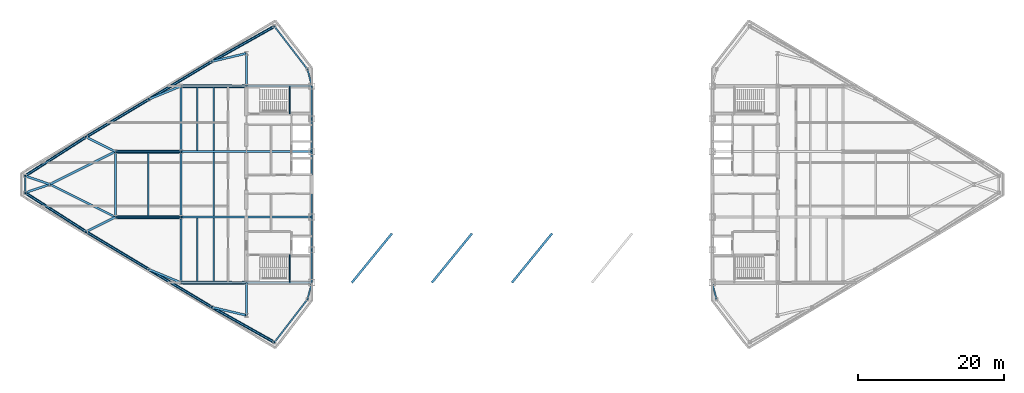
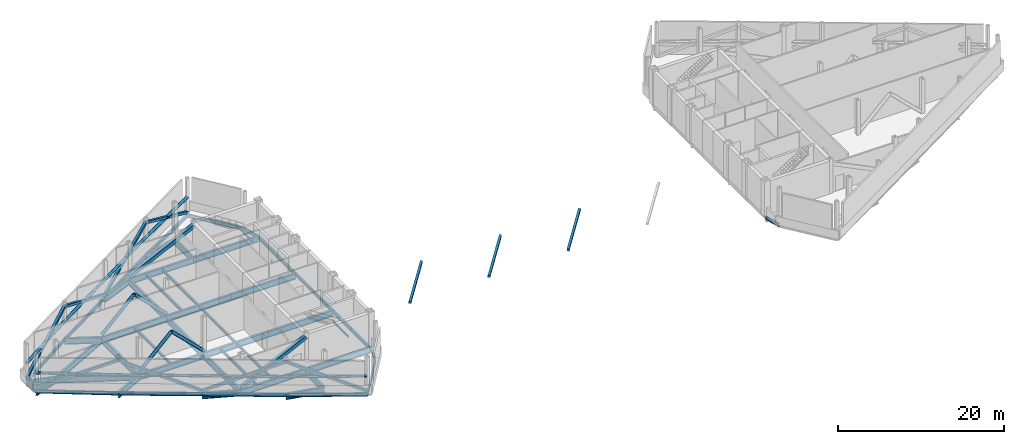
# One storey, part 5 of 13: 53 beams, 25 members.
"""IFC4 building model written with IfcOpenShell, lengths in metres."""

from ifc_helpers import new_model, si_unit, direction, frame, origin, origin_2d, place, context, subcontext, project, spatial, hollow_rectangle, hollow_circle, i_section, extrude, source, transform, mapped, material, material_profile, profile_set, type_object, type_shapes, element, save


model = new_model("IFC4")

# Units and contexts
model_context = context("Model", 3, precision=1e-05, world=origin(), true_north=direction((0.0, 1.0)))
body_context = subcontext(model_context, "Body", "Model", "MODEL_VIEW")
ifc_project = project(units=[si_unit("LENGTHUNIT", "METRE"), si_unit("AREAUNIT", "SQUARE_METRE"), si_unit("VOLUMEUNIT", "CUBIC_METRE"), si_unit("PLANEANGLEUNIT", "RADIAN"), si_unit("MASSUNIT", "GRAM", prefix="KILO")], contexts=[model_context])

# Site, building, storey
site_placement = place(None, origin())
site = spatial("IfcSite", under=ifc_project, at=site_placement, CompositionType="ELEMENT")
building_placement = place(site_placement, origin())
building = spatial("IfcBuilding", under=site, at=building_placement, Name="Seokmaru Belvedere", CompositionType="ELEMENT")
storey_placement = place(building_placement, frame((0.0, 0.0, 224.699951171875)))
storey = spatial("IfcBuildingStorey", under=building, at=storey_placement, Name="L60", CompositionType="ELEMENT", Elevation=224.699951171875)

# Beams
ifc_material_1 = material(Name="Steel SM355 (355 MPa)", Category="steel")
ifc_material_profile_1 = material_profile(ifc_material_1, i_section(OverallWidth=0.199951171875, OverallDepth=0.5, WebThickness=0.010009765625, FlangeThickness=0.01611328125, at=origin_2d()), Name="H-500x200x10x16")
ifc_profile_set_1 = profile_set([ifc_material_profile_1], Name="Steel SM355 (355 MPa)")
beam_type_1 = type_object("IfcBeamType", Name="Perimeter Spandrel Beam H-500", PredefinedType="SPANDREL", material=ifc_profile_set_1)
shared_shape_1 = source(origin(), body_context, "Body", "SweptSolid", [
    extrude(i_section(OverallWidth=0.199951171875, OverallDepth=0.5, WebThickness=0.010009765625, FlangeThickness=0.01611328125, at=origin_2d()), origin(), (0.0, 0.0, 1.0), 4.5),
])
for number, where, z_axis, x_axis, name in (
    (1, (-27.5, -13.5, -0.510009765625), (0.0, 1.0, 0.0), (-1.0, 0.0, 0.0), "L60 W Portal Spine Spandrel 1"),
    (2, (-27.5, -9.0, -0.510009765625), (0.0, 1.0, 0.0), (-1.0, 0.0, 0.0), "L60 W Portal Spine Spandrel 2"),
    (3, (-27.5, 4.5, -0.510009765625), (0.0, 1.0, 0.0), (-1.0, 0.0, 0.0), "L60 W Portal Spine Spandrel 4"),
    (4, (-27.5, 9.0, -0.510009765625), (0.0, 1.0, 0.0), (-1.0, 0.0, 0.0), "L60 W Portal Spine Spandrel 5"),
):
    element("IfcBeam", number, at=place(storey_placement, frame(where, z_axis=z_axis, x_axis=x_axis)), inside=storey, type_object=beam_type_1, Name=name, PredefinedType="SPANDREL", context=body_context, shape_type="MappedRepresentation", body=[
        mapped(shared_shape_1, transform((0.0, 0.0, 0.0), scale=1.0)),
    ])
shared_shape_2 = source(origin(), body_context, "Body", "SweptSolid", [
    extrude(i_section(OverallWidth=0.199951171875, OverallDepth=0.5, WebThickness=0.010009765625, FlangeThickness=0.01611328125, at=origin_2d()), origin(), (0.0, 0.0, 1.0), 9.0),
])
beam_1_placement = place(storey_placement, frame((-27.5, -4.5, -0.510009765625), z_axis=(0.0, 1.0, 0.0), x_axis=(-1.0, 0.0, 0.0)))
element("IfcBeam", 5, at=beam_1_placement, inside=storey, type_object=beam_type_1, Name="L60 W Portal Spine Spandrel 3", PredefinedType="SPANDREL", context=body_context, shape_type="MappedRepresentation", body=[
    mapped(shared_shape_2, transform((0.0, 0.0, 0.0), scale=1.0)),
])
ifc_material_profile_2 = material_profile(ifc_material_1, i_section(OverallWidth=0.300048828125, OverallDepth=0.89990234375, WebThickness=0.01611328125, FlangeThickness=0.028076171875, at=origin_2d()), Name="H-900x300x16x28")
ifc_profile_set_2 = profile_set([ifc_material_profile_2], Name="Steel SM355 (355 MPa)")
beam_type_2 = type_object("IfcBeamType", Name="Refuge Floor Girder H-900", PredefinedType="BEAM", material=ifc_profile_set_2)
shared_shape_3 = source(origin(), body_context, "Body", "SweptSolid", [
    extrude(i_section(OverallWidth=0.300048828125, OverallDepth=0.89990234375, WebThickness=0.01611328125, FlangeThickness=0.028076171875, at=origin_2d()), origin(), (0.0, 0.0, 1.0), 4.5),
])
for number, where, z_axis, x_axis, name in (
    (6, (-36.5, -18.0, -0.7099609375), (0.0, 1.0, 0.0), (-1.0, 0.0, 0.0), "L60 W Core Shoulder Girder S"),
    (7, (-36.5, 13.5, -0.7099609375), (0.0, 1.0, 0.0), (-1.0, 0.0, 0.0), "L60 W Core Shoulder Girder N"),
):
    element("IfcBeam", number, at=place(storey_placement, frame(where, z_axis=z_axis, x_axis=x_axis)), inside=storey, type_object=beam_type_2, Name=name, PredefinedType="BEAM", context=body_context, shape_type="MappedRepresentation", body=[
        mapped(shared_shape_3, transform((0.0, 0.0, 0.0), scale=1.0)),
    ])
shared_shape_4 = source(origin(), body_context, "Body", "SweptSolid", [
    extrude(i_section(OverallWidth=0.300048828125, OverallDepth=0.89990234375, WebThickness=0.01611328125, FlangeThickness=0.028076171875, at=origin_2d()), origin(), (0.0, 0.0, 1.0), 9.0),
])
for number, where, z_axis, x_axis, name in (
    (8, (-45.5, -13.5, -0.7099609375), (0.0, 1.0, 0.0), (-1.0, 0.0, 0.0), "L60 W Interior Grid Girder 1"),
    (9, (-45.5, -4.5, -0.7099609375), (0.0, 1.0, 0.0), (-1.0, 0.0, 0.0), "L60 W Interior Grid Girder 2"),
    (10, (-45.5, 4.5, -0.7099609375), (0.0, 1.0, 0.0), (-1.0, 0.0, 0.0), "L60 W Interior Grid Girder 3"),
    (11, (-36.5, -13.5, -0.7099609375), (1.0, 0.0, 0.0), (0.0, 1.0, 0.0), "L60 W Core Tie Girder 1"),
    (12, (-45.5, -13.5, -0.7099609375), (1.0, 0.0, 0.0), (0.0, 1.0, 0.0), "L60 W Wing Primary Girder 1"),
    (13, (-36.5, -4.5, -0.7099609375), (1.0, 0.0, 0.0), (0.0, 1.0, 0.0), "L60 W Core Tie Girder 2"),
    (14, (-45.5, -4.5, -0.7099609375), (1.0, 0.0, 0.0), (0.0, 1.0, 0.0), "L60 W Wing Primary Girder 2"),
    (15, (-36.5, 4.5, -0.7099609375), (1.0, 0.0, 0.0), (0.0, 1.0, 0.0), "L60 W Core Tie Girder 3"),
    (16, (-45.5, 4.5, -0.7099609375), (1.0, 0.0, 0.0), (0.0, 1.0, 0.0), "L60 W Wing Primary Girder 3"),
    (17, (-36.5, 13.5, -0.7099609375), (1.0, 0.0, 0.0), (0.0, 1.0, 0.0), "L60 W Core Tie Girder 4"),
    (18, (-45.5, 13.5, -0.7099609375), (1.0, 0.0, 0.0), (0.0, 1.0, 0.0), "L60 W Wing Primary Girder 4"),
    (19, (-54.5, -4.5, -0.7099609375), (1.0, 0.0, 0.0), (0.0, 1.0, 0.0), "L60 W Outer Wing Girder 1"),
    (20, (-54.5, 4.5, -0.7099609375), (1.0, 0.0, 0.0), (0.0, 1.0, 0.0), "L60 W Outer Wing Girder 2"),
    (21, (-54.5, -4.5, -0.7099609375), (0.0, 1.0, 0.0), (-1.0, 0.0, 0.0), "L60 W Apex Frame Girder"),
):
    element("IfcBeam", number, at=place(storey_placement, frame(where, z_axis=z_axis, x_axis=x_axis)), inside=storey, type_object=beam_type_2, Name=name, PredefinedType="BEAM", context=body_context, shape_type="MappedRepresentation", body=[
        mapped(shared_shape_4, transform((0.0, 0.0, 0.0), scale=1.0)),
    ])
shared_shape_5 = source(origin(), body_context, "Body", "SweptSolid", [
    extrude(i_section(OverallWidth=0.300048828125, OverallDepth=0.89990234375, WebThickness=0.01611328125, FlangeThickness=0.028076171875, at=origin_2d()), origin(), (0.0, 0.0, 1.0), 10.062255859375),
])
for number, where, z_axis, x_axis, name in (
    (22, (-54.5, -4.5, -0.7099609375), (-0.894427191, 0.4472135955, 0.0), (-0.4472135955, -0.894427191, 0.0), "L60 W Apex Converging Girder 1"),
    (23, (-54.5, 4.5, -0.7099609375), (-0.894427191, -0.4472135955, 0.0), (0.4472135955, -0.894427191, 0.0), "L60 W Apex Converging Girder 2"),
):
    element("IfcBeam", number, at=place(storey_placement, frame(where, z_axis=z_axis, x_axis=x_axis)), inside=storey, type_object=beam_type_2, Name=name, PredefinedType="BEAM", context=body_context, shape_type="MappedRepresentation", body=[
        mapped(shared_shape_5, transform((0.0, 0.0, 0.0), scale=1.0)),
    ])
ifc_material_profile_3 = material_profile(ifc_material_1, i_section(OverallWidth=0.199951171875, OverallDepth=0.39990234375, WebThickness=0.008056640625, FlangeThickness=0.012939453125, at=origin_2d()), Name="H-400x200x8x13")
ifc_profile_set_3 = profile_set([ifc_material_profile_3], Name="Steel SM355 (355 MPa)")
beam_type_3 = type_object("IfcBeamType", Name="Secondary Floor Joist H-400", PredefinedType="JOIST", material=ifc_profile_set_3)
shared_shape_6 = source(origin(), body_context, "Body", "SweptSolid", [
    extrude(i_section(OverallWidth=0.199951171875, OverallDepth=0.39990234375, WebThickness=0.008056640625, FlangeThickness=0.012939453125, at=origin_2d()), origin(), (0.0, 0.0, 1.0), 8.68994140625),
])
type_shapes(beam_type_3, [shared_shape_6])
for number, where, z_axis, x_axis, name in (
    (24, (-43.25, -13.344970703125, -0.4599609375), (0.0, 1.0, 0.0), (-1.0, 0.0, 0.0), "L60 W Wing Inner Secondary Joist 1"),
    (25, (-43.25, 4.655029296875, -0.4599609375), (0.0, 1.0, 0.0), (-1.0, 0.0, 0.0), "L60 W Wing Inner Secondary Joist 2"),
    (26, (-41.0, -13.344970703125, -0.4599609375), (0.0, 1.0, 0.0), (-1.0, 0.0, 0.0), "L60 W Secondary Floor Joist 1"),
    (27, (-41.0, -4.344970703125, -0.4599609375), (0.0, 1.0, 0.0), (-1.0, 0.0, 0.0), "L60 W Secondary Floor Joist 2"),
    (28, (-41.0, 4.655029296875, -0.4599609375), (0.0, 1.0, 0.0), (-1.0, 0.0, 0.0), "L60 W Secondary Floor Joist 3"),
    (29, (-50.0, -4.344970703125, -0.4599609375), (0.0, 1.0, 0.0), (-1.0, 0.0, 0.0), "L60 W Outer Bay Secondary Joist"),
):
    element("IfcBeam", number, at=place(storey_placement, frame(where, z_axis=z_axis, x_axis=x_axis)), inside=storey, type_object=beam_type_3, Name=name, PredefinedType="JOIST", context=body_context, shape_type="MappedRepresentation", body=[
        mapped(shared_shape_6, transform((0.0, 0.0, 0.0), scale=1.0)),
    ])
shared_shape_7 = source(origin(), body_context, "Body", "SweptSolid", [
    extrude(i_section(OverallWidth=0.199951171875, OverallDepth=0.5, WebThickness=0.010009765625, FlangeThickness=0.01611328125, at=origin_2d()), origin(), (0.0, 0.0, 1.0), 9.842041015625),
])
for number, where, z_axis, x_axis, name in (
    (30, (-32.649658203125, -21.71044921875, -0.510009765625), (-0.871782151818, 0.489893743349, 0.0), (-0.489893743349, -0.871782151818, 0.0), "L60 W Faceted Flank Spandrel S-1"),
    (31, (-32.649658203125, 21.71044921875, -0.510009765625), (-0.871782151818, -0.489893743349, 0.0), (0.489893743349, -0.871782151818, 0.0), "L60 W Faceted Flank Spandrel N-1"),
):
    element("IfcBeam", number, at=place(storey_placement, frame(where, z_axis=z_axis, x_axis=x_axis)), inside=storey, type_object=beam_type_1, Name=name, PredefinedType="SPANDREL", context=body_context, shape_type="MappedRepresentation", body=[
        mapped(shared_shape_7, transform((0.0, 0.0, 0.0), scale=1.0)),
    ])
shared_shape_8 = source(origin(), body_context, "Body", "SweptSolid", [
    extrude(i_section(OverallWidth=0.199951171875, OverallDepth=0.5, WebThickness=0.010009765625, FlangeThickness=0.01611328125, at=origin_2d()), origin(), (0.0, 0.0, 1.0), 10.087646484375),
])
for number, where, z_axis, x_axis, name in (
    (32, (-41.229736328125, -16.888916015625, -0.510009765625), (-0.857499332045, 0.514485078056, 0.0), (-0.514485078056, -0.857499332045, 0.0), "L60 W Faceted Flank Spandrel S-2"),
    (33, (-49.8798828125, -11.698974609375, -0.510009765625), (-0.857488654804, 0.514502873542, 0.0), (-0.514502873542, -0.857488654804, 0.0), "L60 W Faceted Flank Spandrel S-3"),
    (34, (-41.229736328125, 16.888916015625, -0.510009765625), (-0.857499332045, -0.514485078056, 0.0), (0.514485078056, -0.857499332045, 0.0), "L60 W Faceted Flank Spandrel N-2"),
    (35, (-49.8798828125, 11.698974609375, -0.510009765625), (-0.857488654804, -0.514502873542, 0.0), (0.514502873542, -0.857488654804, 0.0), "L60 W Faceted Flank Spandrel N-3"),
):
    element("IfcBeam", number, at=place(storey_placement, frame(where, z_axis=z_axis, x_axis=x_axis)), inside=storey, type_object=beam_type_1, Name=name, PredefinedType="SPANDREL", context=body_context, shape_type="MappedRepresentation", body=[
        mapped(shared_shape_8, transform((0.0, 0.0, 0.0), scale=1.0)),
    ])
shared_shape_9 = source(origin(), body_context, "Body", "SweptSolid", [
    extrude(i_section(OverallWidth=0.199951171875, OverallDepth=0.5, WebThickness=0.010009765625, FlangeThickness=0.01611328125, at=origin_2d()), origin(), (0.0, 0.0, 1.0), 9.932861328125),
])
for number, where, z_axis, x_axis, name in (
    (36, (-58.530029296875, -6.5087890625, -0.510009765625), (-0.842651960357, 0.538458609093, 0.0), (-0.538458609093, -0.842651960357, 0.0), "L60 W Faceted Flank Spandrel S-4"),
    (37, (-58.530029296875, 6.5087890625, -0.510009765625), (-0.842651960357, -0.538458609093, 0.0), (0.538458609093, -0.842651960357, 0.0), "L60 W Faceted Flank Spandrel N-4"),
):
    element("IfcBeam", number, at=place(storey_placement, frame(where, z_axis=z_axis, x_axis=x_axis)), inside=storey, type_object=beam_type_1, Name=name, PredefinedType="SPANDREL", context=body_context, shape_type="MappedRepresentation", body=[
        mapped(shared_shape_9, transform((0.0, 0.0, 0.0), scale=1.0)),
    ])
shared_shape_10 = source(origin(), body_context, "Body", "SweptSolid", [
    extrude(i_section(OverallWidth=0.199951171875, OverallDepth=0.5, WebThickness=0.010009765625, FlangeThickness=0.01611328125, at=origin_2d()), origin(), (0.0, 0.0, 1.0), 2.32080078125),
])
beam_2_placement = place(storey_placement, frame((-66.89990234375, -1.160400390625, -0.510009765625), z_axis=(0.0, 1.0, 0.0), x_axis=(-1.0, 0.0, 0.0)))
element("IfcBeam", 38, at=beam_2_placement, inside=storey, type_object=beam_type_1, Name="L60 W Faceted Apex Spandrel", PredefinedType="SPANDREL", context=body_context, shape_type="MappedRepresentation", body=[
    mapped(shared_shape_10, transform((0.0, 0.0, 0.0), scale=1.0)),
])
shared_shape_11 = source(origin(), body_context, "Body", "SweptSolid", [
    extrude(i_section(OverallWidth=0.199951171875, OverallDepth=0.5, WebThickness=0.010009765625, FlangeThickness=0.01611328125, at=origin_2d()), origin(), (0.0, 0.0, 1.0), 7.4619140625),
])
for number, where, z_axis, x_axis, name in (
    (39, (-32.649658203125, -21.71044921875, -0.510009765625), (0.609702854945, 0.792630070507, 0.0), (-0.792630070507, 0.609702854945, 0.0), "L60 W Shoulder Chamfer Spandrel S"),
    (40, (-32.649658203125, 21.71044921875, -0.510009765625), (0.609702854945, -0.792630070507, 0.0), (0.792630070507, 0.609702854945, 0.0), "L60 W Shoulder Chamfer Spandrel N"),
):
    element("IfcBeam", number, at=place(storey_placement, frame(where, z_axis=z_axis, x_axis=x_axis)), inside=storey, type_object=beam_type_1, Name=name, PredefinedType="SPANDREL", context=body_context, shape_type="MappedRepresentation", body=[
        mapped(shared_shape_11, transform((0.0, 0.0, 0.0), scale=1.0)),
    ])
shared_shape_12 = source(origin(), body_context, "Body", "SweptSolid", [
    extrude(i_section(OverallWidth=0.199951171875, OverallDepth=0.5, WebThickness=0.010009765625, FlangeThickness=0.01611328125, at=origin_2d()), origin(), (0.0, 0.0, 1.0), 2.373046875),
])
type_shapes(beam_type_1, [shared_shape_1, shared_shape_2, shared_shape_7, shared_shape_8, shared_shape_9, shared_shape_10, shared_shape_11, shared_shape_12])
for number, where, z_axis, x_axis, name in (
    (41, (-28.10009765625, -15.7958984375, -0.510009765625), (0.252882558842, 0.967496982648, 0.0), (-0.967496982648, 0.252882558842, 0.0), "L60 W Shoulder Spine Spandrel S"),
    (42, (-28.10009765625, 15.7958984375, -0.510009765625), (0.252882558842, -0.967496982648, 0.0), (0.967496982648, 0.252882558842, 0.0), "L60 W Shoulder Spine Spandrel N"),
    (43, (28.10009765625, -15.7958984375, -0.510009765625), (-0.252882558842, 0.967496982648, 0.0), (-0.967496982648, -0.252882558842, 0.0), "L60 E Shoulder Spine Spandrel S"),
):
    element("IfcBeam", number, at=place(storey_placement, frame(where, z_axis=z_axis, x_axis=x_axis)), inside=storey, type_object=beam_type_1, Name=name, PredefinedType="SPANDREL", context=body_context, shape_type="MappedRepresentation", body=[
        mapped(shared_shape_12, transform((0.0, 0.0, 0.0), scale=1.0)),
    ])
shared_shape_13 = source(origin(), body_context, "Body", "SweptSolid", [
    extrude(i_section(OverallWidth=0.300048828125, OverallDepth=0.89990234375, WebThickness=0.01611328125, FlangeThickness=0.028076171875, at=origin_2d()), origin(), (0.0, 0.0, 1.0), 4.8583984375),
])
for number, where, z_axis, x_axis, name in (
    (44, (-41.229736328125, -16.888916015625, -0.7099609375), (0.97349948295, -0.228689214211, 0.0), (0.228689214211, 0.97349948295, 0.0), "L60 W Flank Radial Floor Girder S-1"),
    (45, (-41.229736328125, 16.888916015625, -0.7099609375), (0.97349948295, 0.228689214211, 0.0), (-0.228689214211, 0.97349948295, 0.0), "L60 W Flank Radial Floor Girder N-1"),
):
    element("IfcBeam", number, at=place(storey_placement, frame(where, z_axis=z_axis, x_axis=x_axis)), inside=storey, type_object=beam_type_2, Name=name, PredefinedType="BEAM", context=body_context, shape_type="MappedRepresentation", body=[
        mapped(shared_shape_13, transform((0.0, 0.0, 0.0), scale=1.0)),
    ])
shared_shape_14 = source(origin(), body_context, "Body", "SweptSolid", [
    extrude(i_section(OverallWidth=0.300048828125, OverallDepth=0.89990234375, WebThickness=0.01611328125, FlangeThickness=0.028076171875, at=origin_2d()), origin(), (0.0, 0.0, 1.0), 4.73583984375),
])
for number, where, z_axis, x_axis, name in (
    (46, (-49.8798828125, -11.698974609375, -0.7099609375), (0.924860562953, -0.380306375301, 0.0), (0.380306375301, 0.924860562953, 0.0), "L60 W Flank Radial Floor Girder S-2"),
    (47, (-49.8798828125, 11.698974609375, -0.7099609375), (0.924860562953, 0.380306375301, 0.0), (-0.380306375301, 0.924860562953, 0.0), "L60 W Flank Radial Floor Girder N-2"),
):
    element("IfcBeam", number, at=place(storey_placement, frame(where, z_axis=z_axis, x_axis=x_axis)), inside=storey, type_object=beam_type_2, Name=name, PredefinedType="BEAM", context=body_context, shape_type="MappedRepresentation", body=[
        mapped(shared_shape_14, transform((0.0, 0.0, 0.0), scale=1.0)),
    ])
shared_shape_15 = source(origin(), body_context, "Body", "SweptSolid", [
    extrude(i_section(OverallWidth=0.300048828125, OverallDepth=0.89990234375, WebThickness=0.01611328125, FlangeThickness=0.028076171875, at=origin_2d()), origin(), (0.0, 0.0, 1.0), 4.5029296875),
])
for number, where, z_axis, x_axis, name in (
    (48, (-58.530029296875, -6.5087890625, -0.7099609375), (0.894979532585, 0.446107202648, 0.0), (-0.446107202648, 0.894979532585, 0.0), "L60 W Flank Radial Floor Girder S-3"),
    (49, (-58.530029296875, 6.5087890625, -0.7099609375), (0.894979532585, -0.446107202648, 0.0), (0.446107202648, 0.894979532585, 0.0), "L60 W Flank Radial Floor Girder N-3"),
):
    element("IfcBeam", number, at=place(storey_placement, frame(where, z_axis=z_axis, x_axis=x_axis)), inside=storey, type_object=beam_type_2, Name=name, PredefinedType="BEAM", context=body_context, shape_type="MappedRepresentation", body=[
        mapped(shared_shape_15, transform((0.0, 0.0, 0.0), scale=1.0)),
    ])
shared_shape_16 = source(origin(), body_context, "Body", "SweptSolid", [
    extrude(i_section(OverallWidth=0.300048828125, OverallDepth=0.89990234375, WebThickness=0.01611328125, FlangeThickness=0.028076171875, at=origin_2d()), origin(), (0.0, 0.0, 1.0), 3.592529296875),
])
type_shapes(beam_type_2, [shared_shape_3, shared_shape_4, shared_shape_5, shared_shape_13, shared_shape_14, shared_shape_15, shared_shape_16])
for number, where, z_axis, x_axis, name in (
    (50, (-66.89990234375, -1.160400390625, -0.7099609375), (0.946395973048, 0.323008764893, 0.0), (-0.323008764893, 0.946395973048, 0.0), "L60 W Apex Radial Floor Girder 1"),
    (51, (-66.89990234375, 1.160400390625, -0.7099609375), (0.946395973048, -0.323008764893, 0.0), (0.323008764893, 0.946395973048, 0.0), "L60 W Apex Radial Floor Girder 2"),
):
    element("IfcBeam", number, at=place(storey_placement, frame(where, z_axis=z_axis, x_axis=x_axis)), inside=storey, type_object=beam_type_2, Name=name, PredefinedType="BEAM", context=body_context, shape_type="MappedRepresentation", body=[
        mapped(shared_shape_16, transform((0.0, 0.0, 0.0), scale=1.0)),
    ])

# Members
ifc_material_2 = material(Name="Steel HSA650 (650 MPa)", Category="steel")
ifc_material_profile_4 = material_profile(ifc_material_2, hollow_rectangle(XDim=0.5, YDim=0.5, WallThickness=0.02001953125, at=origin_2d()), Name="HSS-500x500x20")
ifc_profile_set_4 = profile_set([ifc_material_profile_4], Name="Steel HSA650 (650 MPa)")
member_type_1 = type_object("IfcMemberType", Name="Outrigger Truss Diagonal HSS-500", PredefinedType="BRACE", material=ifc_profile_set_4)
shared_shape_17 = source(origin(), body_context, "Body", "SweptSolid", [
    extrude(hollow_rectangle(XDim=0.5, YDim=0.5, WallThickness=0.02001953125, at=origin_2d()), origin(), (0.0, 0.0, 1.0), 10.013671875),
])
type_shapes(member_type_1, [shared_shape_17])
for number, where, z_axis, x_axis, name in (
    (52, (-45.5, -13.5, 0.0), (0.898772663323, 0.0, 0.438414985674), (0.0, 1.0, 0.0), "L60 W Outrigger Truss Diagonal 1A"),
    (53, (-45.5, 13.5, 0.0), (0.898772663323, 0.0, 0.438414985674), (0.0, 1.0, 0.0), "L60 W Outrigger Truss Diagonal 4A"),
):
    element("IfcMember", number, at=place(storey_placement, frame(where, z_axis=z_axis, x_axis=x_axis)), inside=storey, type_object=member_type_1, Name=name, PredefinedType="BRACE", context=body_context, shape_type="MappedRepresentation", body=[
        mapped(shared_shape_17, transform((0.0, 0.0, 0.0), scale=1.0)),
    ])
ifc_material_profile_5 = material_profile(ifc_material_2, hollow_circle(Radius=0.228515625, WallThickness=0.01611328125, at=origin_2d()), Name="CHS-457.2x16.0")
ifc_profile_set_5 = profile_set([ifc_material_profile_5], Name="Steel HSA650 (650 MPa)")
member_type_2 = type_object("IfcMemberType", Name="Outrigger Tie Strut CHS-457", PredefinedType="BRACE", material=ifc_profile_set_5)
shared_shape_18 = source(origin(), body_context, "Body", "SweptSolid", [
    extrude(hollow_circle(Radius=0.228515625, WallThickness=0.01611328125, at=origin_2d()), origin(), (0.0, 0.0, 1.0), 6.286865234375),
])
type_shapes(member_type_2, [shared_shape_18])
for number, where, z_axis, x_axis, name in (
    (54, (-45.5, -4.5, 0.0), (-0.715790470288, 0.0, 0.69831511701), (0.0, -1.0, 0.0), "L60 W Outrigger Truss Diagonal 2A"),
    (55, (-54.5, -4.5, 0.0), (0.715790470288, 0.0, 0.69831511701), (0.0, 1.0, 0.0), "L60 W Outrigger Truss Diagonal 2B"),
    (56, (-45.5, 4.5, 0.0), (-0.715790470288, 0.0, 0.69831511701), (0.0, -1.0, 0.0), "L60 W Outrigger Truss Diagonal 3A"),
    (57, (-54.5, 4.5, 0.0), (0.715790470288, 0.0, 0.69831511701), (0.0, 1.0, 0.0), "L60 W Outrigger Truss Diagonal 3B"),
):
    element("IfcMember", number, at=place(storey_placement, frame(where, z_axis=z_axis, x_axis=x_axis)), inside=storey, type_object=member_type_2, Name=name, PredefinedType="BRACE", context=body_context, shape_type="MappedRepresentation", body=[
        mapped(shared_shape_18, transform((0.0, 0.0, 0.0), scale=1.0)),
    ])
ifc_material_profile_6 = material_profile(ifc_material_2, hollow_rectangle(XDim=0.35009765625, YDim=0.35009765625, WallThickness=0.013916015625, at=origin_2d()), Name="HSS-350x350x14")
ifc_profile_set_6 = profile_set([ifc_material_profile_6], Name="Steel HSA650 (650 MPa)")
member_type_3 = type_object("IfcMemberType", Name="Belt Truss Diagonal HSS-350", PredefinedType="BRACE", material=ifc_profile_set_6)
shared_shape_19 = source(origin(), body_context, "Body", "SweptSolid", [
    extrude(hollow_rectangle(XDim=0.35009765625, YDim=0.35009765625, WallThickness=0.013916015625, at=origin_2d()), origin(), (0.0, 0.0, 1.0), 10.77685546875),
])
for number, where, z_axis, x_axis, name in (
    (58, (-32.649658203125, -21.71044921875, 0.0), (-0.796166047307, 0.447401640914, 0.40737132548), (-0.489893743349, -0.871782151818, 0.0), "L60 W Perimeter Belt Truss Brace 1"),
    (59, (-32.649658203125, 21.71044921875, 0.0), (-0.796166047307, -0.447401640914, 0.40737132548), (0.489893743349, -0.871782151818, 0.0), "L60 W Perimeter Belt Truss Brace 5"),
):
    element("IfcMember", number, at=place(storey_placement, frame(where, z_axis=z_axis, x_axis=x_axis)), inside=storey, type_object=member_type_3, Name=name, PredefinedType="BRACE", context=body_context, shape_type="MappedRepresentation", body=[
        mapped(shared_shape_19, transform((0.0, 0.0, 0.0), scale=1.0)),
    ])
ifc_material_profile_7 = material_profile(ifc_material_1, hollow_circle(Radius=0.203125, WallThickness=0.01416015625, at=origin_2d()), Name="CHS-406.4x14.2")
ifc_profile_set_7 = profile_set([ifc_material_profile_7], Name="Steel SM355 (355 MPa)")
member_type_4 = type_object("IfcMemberType", Name="Belt Truss Chord Member CHS-406", PredefinedType="CHORD", material=ifc_profile_set_7)
shared_shape_20 = source(origin(), body_context, "Body", "SweptSolid", [
    extrude(hollow_circle(Radius=0.203125, WallThickness=0.01416015625, at=origin_2d()), origin(), (0.0, 0.0, 1.0), 9.842041015625),
])
for number, where, z_axis, x_axis, name in (
    (60, (-32.649658203125, -21.71044921875, 2.195068359375), (-0.871782151818, 0.489893743349, 0.0), (-0.489893743349, -0.871782151818, 0.0), "L60 W Perimeter Belt Truss Chord 1"),
    (61, (-32.649658203125, 21.71044921875, 2.195068359375), (-0.871782151818, -0.489893743349, 0.0), (0.489893743349, -0.871782151818, 0.0), "L60 W Perimeter Belt Truss Chord 5"),
):
    element("IfcMember", number, at=place(storey_placement, frame(where, z_axis=z_axis, x_axis=x_axis)), inside=storey, type_object=member_type_4, Name=name, PredefinedType="CHORD", context=body_context, shape_type="MappedRepresentation", body=[
        mapped(shared_shape_20, transform((0.0, 0.0, 0.0), scale=1.0)),
    ])
shared_shape_21 = source(origin(), body_context, "Body", "SweptSolid", [
    extrude(hollow_rectangle(XDim=0.35009765625, YDim=0.35009765625, WallThickness=0.013916015625, at=origin_2d()), origin(), (0.0, 0.0, 1.0), 11.00146484375),
])
for number, where, z_axis, x_axis, name in (
    (62, (-41.229736328125, -16.888916015625, 4.39013671875), (-0.78626705753, 0.471746919618, -0.399047563673), (-0.514485078056, -0.857499332045, 0.0), "L60 W Perimeter Belt Truss Brace 2"),
    (63, (-41.229736328125, 16.888916015625, 4.39013671875), (-0.78626705753, -0.471746919618, -0.399047563673), (0.514485078056, -0.857499332045, 0.0), "L60 W Perimeter Belt Truss Brace 6"),
):
    element("IfcMember", number, at=place(storey_placement, frame(where, z_axis=z_axis, x_axis=x_axis)), inside=storey, type_object=member_type_3, Name=name, PredefinedType="BRACE", context=body_context, shape_type="MappedRepresentation", body=[
        mapped(shared_shape_21, transform((0.0, 0.0, 0.0), scale=1.0)),
    ])
shared_shape_22 = source(origin(), body_context, "Body", "SweptSolid", [
    extrude(hollow_circle(Radius=0.203125, WallThickness=0.01416015625, at=origin_2d()), origin(), (0.0, 0.0, 1.0), 10.087646484375),
])
for number, where, z_axis, x_axis, name in (
    (64, (-41.229736328125, -16.888916015625, 2.195068359375), (-0.857499332045, 0.514485078056, 0.0), (-0.514485078056, -0.857499332045, 0.0), "L60 W Perimeter Belt Truss Chord 2"),
    (65, (-49.8798828125, -11.698974609375, 2.195068359375), (-0.857488654804, 0.514502873542, 0.0), (-0.514502873542, -0.857488654804, 0.0), "L60 W Perimeter Belt Truss Chord 3"),
    (66, (-41.229736328125, 16.888916015625, 2.195068359375), (-0.857499332045, -0.514485078056, 0.0), (0.514485078056, -0.857499332045, 0.0), "L60 W Perimeter Belt Truss Chord 6"),
    (67, (-49.8798828125, 11.698974609375, 2.195068359375), (-0.857488654804, -0.514502873542, 0.0), (0.514502873542, -0.857488654804, 0.0), "L60 W Perimeter Belt Truss Chord 7"),
):
    element("IfcMember", number, at=place(storey_placement, frame(where, z_axis=z_axis, x_axis=x_axis)), inside=storey, type_object=member_type_4, Name=name, PredefinedType="CHORD", context=body_context, shape_type="MappedRepresentation", body=[
        mapped(shared_shape_22, transform((0.0, 0.0, 0.0), scale=1.0)),
    ])
shared_shape_23 = source(origin(), body_context, "Body", "SweptSolid", [
    extrude(hollow_rectangle(XDim=0.35009765625, YDim=0.35009765625, WallThickness=0.013916015625, at=origin_2d()), origin(), (0.0, 0.0, 1.0), 11.001708984375),
])
for number, where, z_axis, x_axis, name in (
    (68, (-49.8798828125, -11.698974609375, 0.0), (-0.786258826215, 0.471764172237, 0.399043386103), (-0.514502873542, -0.857488654804, 0.0), "L60 W Perimeter Belt Truss Brace 3"),
    (69, (-49.8798828125, 11.698974609375, 0.0), (-0.786258826215, -0.471764172237, 0.399043386103), (0.514502873542, -0.857488654804, 0.0), "L60 W Perimeter Belt Truss Brace 7"),
):
    element("IfcMember", number, at=place(storey_placement, frame(where, z_axis=z_axis, x_axis=x_axis)), inside=storey, type_object=member_type_3, Name=name, PredefinedType="BRACE", context=body_context, shape_type="MappedRepresentation", body=[
        mapped(shared_shape_23, transform((0.0, 0.0, 0.0), scale=1.0)),
    ])
shared_shape_24 = source(origin(), body_context, "Body", "SweptSolid", [
    extrude(hollow_rectangle(XDim=0.35009765625, YDim=0.35009765625, WallThickness=0.013916015625, at=origin_2d()), origin(), (0.0, 0.0, 1.0), 10.859619140625),
])
type_shapes(member_type_3, [shared_shape_19, shared_shape_21, shared_shape_23, shared_shape_24])
for number, where, z_axis, x_axis, name in (
    (70, (-58.530029296875, -6.5087890625, 4.39013671875), (-0.77072700773, 0.492498222394, -0.404259051221), (-0.538458609093, -0.842651960357, 0.0), "L60 W Perimeter Belt Truss Brace 4"),
    (71, (-58.530029296875, 6.5087890625, 4.39013671875), (-0.77072700773, -0.492498222394, -0.404259051221), (0.538458609093, -0.842651960357, 0.0), "L60 W Perimeter Belt Truss Brace 8"),
):
    element("IfcMember", number, at=place(storey_placement, frame(where, z_axis=z_axis, x_axis=x_axis)), inside=storey, type_object=member_type_3, Name=name, PredefinedType="BRACE", context=body_context, shape_type="MappedRepresentation", body=[
        mapped(shared_shape_24, transform((0.0, 0.0, 0.0), scale=1.0)),
    ])
shared_shape_25 = source(origin(), body_context, "Body", "SweptSolid", [
    extrude(hollow_circle(Radius=0.203125, WallThickness=0.01416015625, at=origin_2d()), origin(), (0.0, 0.0, 1.0), 9.932861328125),
])
type_shapes(member_type_4, [shared_shape_20, shared_shape_22, shared_shape_25])
for number, where, z_axis, x_axis, name in (
    (72, (-58.530029296875, -6.5087890625, 2.195068359375), (-0.842651960357, 0.538458609093, 0.0), (-0.538458609093, -0.842651960357, 0.0), "L60 W Perimeter Belt Truss Chord 4"),
    (73, (-58.530029296875, 6.5087890625, 2.195068359375), (-0.842651960357, -0.538458609093, 0.0), (0.538458609093, -0.842651960357, 0.0), "L60 W Perimeter Belt Truss Chord 8"),
):
    element("IfcMember", number, at=place(storey_placement, frame(where, z_axis=z_axis, x_axis=x_axis)), inside=storey, type_object=member_type_4, Name=name, PredefinedType="CHORD", context=body_context, shape_type="MappedRepresentation", body=[
        mapped(shared_shape_25, transform((0.0, 0.0, 0.0), scale=1.0)),
    ])
ifc_material_profile_8 = material_profile(ifc_material_1, hollow_rectangle(XDim=0.300048828125, YDim=0.300048828125, WallThickness=0.011962890625, at=origin_2d()), Name="HSS-300x300x12")
ifc_profile_set_8 = profile_set([ifc_material_profile_8], Name="Steel SM355 (355 MPa)")
member_type_5 = type_object("IfcMemberType", Name="Sky-Gate Transfer Truss Lateral Tie HSS-300", PredefinedType="CHORD", material=ifc_profile_set_8)
shared_shape_26 = source(origin(), body_context, "Body", "SweptSolid", [
    extrude(hollow_rectangle(XDim=0.300048828125, YDim=0.300048828125, WallThickness=0.011962890625, at=origin_2d()), origin(), (0.0, 0.0, 1.0), 8.70703125),
])
type_shapes(member_type_5, [shared_shape_26])
for number, where, z_axis, x_axis, name in (
    (74, (-22.0, -13.5, 4.2900390625), (0.631672951162, 0.775234985517, 0.0), (-0.775234985517, 0.631672951162, 0.0), "L60 Sky-Gate Under-Deck Wind Tie L61-1"),
    (75, (-11.0, -13.5, 4.2900390625), (0.631672951162, 0.775234985517, 0.0), (-0.775234985517, 0.631672951162, 0.0), "L60 Sky-Gate Under-Deck Wind Tie L61-2"),
    (76, (0.0, -13.5, 4.2900390625), (0.631672951162, 0.775234985517, 0.0), (-0.775234985517, 0.631672951162, 0.0), "L60 Sky-Gate Under-Deck Wind Tie L61-3"),
):
    element("IfcMember", number, at=place(storey_placement, frame(where, z_axis=z_axis, x_axis=x_axis)), inside=storey, type_object=member_type_5, Name=name, PredefinedType="CHORD", context=body_context, shape_type="MappedRepresentation", body=[
        mapped(shared_shape_26, transform((0.0, 0.0, 0.0), scale=1.0)),
    ])

# Beams
ifc_material_profile_9 = material_profile(ifc_material_1, i_section(OverallWidth=0.125, OverallDepth=0.25, WebThickness=0.006103515625, FlangeThickness=0.009033203125, at=origin_2d()), Name="H-250x125x6x9")
ifc_profile_set_9 = profile_set([ifc_material_profile_9], Name="Steel SM355 (355 MPa)")
beam_type_4 = type_object("IfcBeamType", Name="Stair Mid-Landing Support Beam H-250", PredefinedType="JOIST", material=ifc_profile_set_9)
shared_shape_27 = source(origin(), body_context, "Body", "SweptSolid", [
    extrude(i_section(OverallWidth=0.125, OverallDepth=0.25, WebThickness=0.006103515625, FlangeThickness=0.009033203125, at=origin_2d()), origin(), (0.0, 0.0, 1.0), 3.800048828125),
])
type_shapes(beam_type_4, [shared_shape_27])
for number, where, z_axis, x_axis, name in (
    (77, (-30.530029296875, -13.5, 2.22509765625), (0.0, 1.0, 0.0), (-1.0, 0.0, 0.0), "L60 Stair ST-W1 Mid-Landing Support Beam 1"),
    (78, (-30.530029296875, 9.699951171875, 2.22509765625), (0.0, 1.0, 0.0), (-1.0, 0.0, 0.0), "L60 Stair ST-W2 Mid-Landing Support Beam 1"),
):
    element("IfcBeam", number, at=place(storey_placement, frame(where, z_axis=z_axis, x_axis=x_axis)), inside=storey, type_object=beam_type_4, Name=name, PredefinedType="JOIST", context=body_context, shape_type="MappedRepresentation", body=[
        mapped(shared_shape_27, transform((0.0, 0.0, 0.0), scale=1.0)),
    ])

save(model, "model.ifc")
